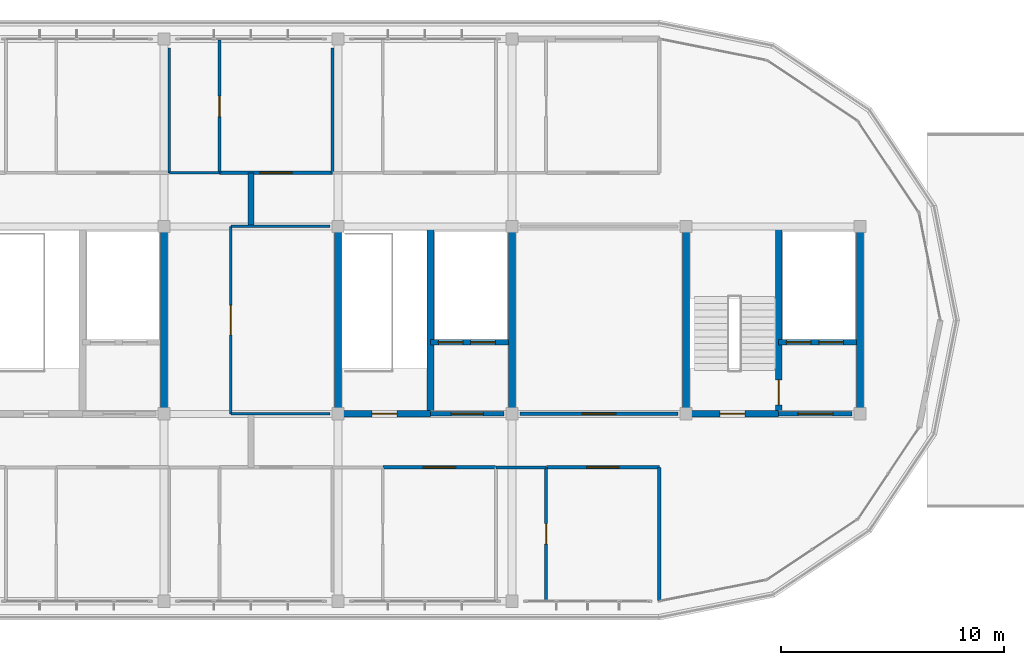
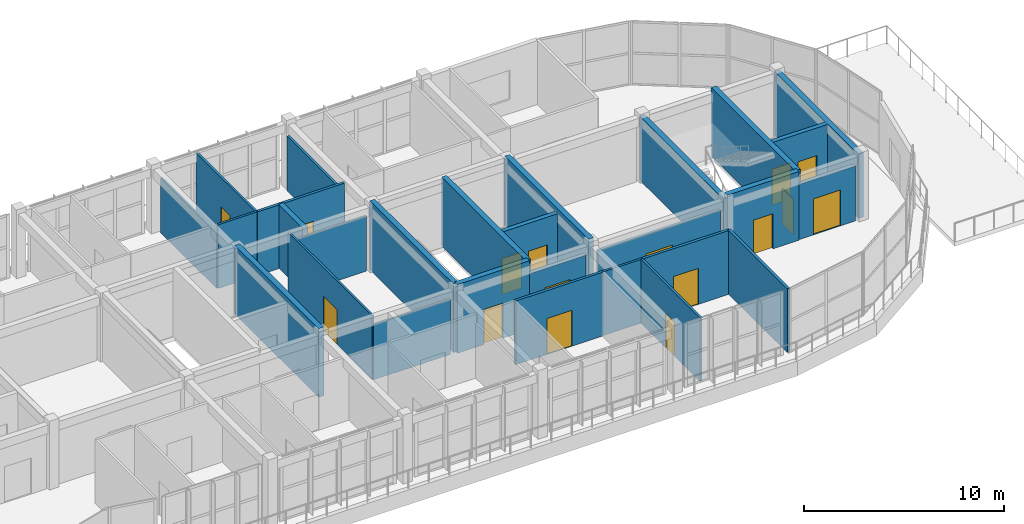
# One storey, part 30 of 33: 28 walls, 16 doors, 16 openings.
"""IFC4 building model written with IfcOpenShell, lengths in metres."""

from ifc_helpers import new_model, si_unit, direction, frame, frame_2d, origin, place, context, subcontext, project, spatial, rectangle, extrude, material, layer, layer_set, type_object, element, fill, save


model = new_model("IFC4")

# Units and contexts
model_context = context("Model", 3, precision=1e-05, world=origin(), true_north=direction((0.0, 1.0)))
body_context = subcontext(model_context, "Body", "Model", "MODEL_VIEW")
ifc_project = project(units=[si_unit("LENGTHUNIT", "METRE"), si_unit("AREAUNIT", "SQUARE_METRE"), si_unit("VOLUMEUNIT", "CUBIC_METRE"), si_unit("PLANEANGLEUNIT", "RADIAN"), si_unit("MASSUNIT", "GRAM", prefix="KILO")], contexts=[model_context])

# Site, building, storey
site_placement = place(None, origin())
site = spatial("IfcSite", under=ifc_project, at=site_placement, CompositionType="ELEMENT")
building_placement = place(site_placement, origin())
building = spatial("IfcBuilding", under=site, at=building_placement, Name="Zizhar Promenade General Hospital", CompositionType="ELEMENT")
storey_placement = place(building_placement, frame((0.0, 0.0, 39.0)))
storey = spatial("IfcBuildingStorey", under=building, at=storey_placement, Name="L09", CompositionType="ELEMENT", Elevation=39.0)

# Wall, opening, door
ifc_material_1 = material(Name="Clinical consultation partition")
ifc_layer_1 = layer(ifc_material_1, 0.14501953125)
ifc_layer_set_1 = layer_set([ifc_layer_1], Name="Clinical consultation partition")
wall_type_1 = type_object("IfcWallType", Name="IW-CLN-145", PredefinedType="PARTITIONING", material=ifc_layer_set_1)
wall_1_placement = place(storey_placement, frame((86.159912109375, 8.39990234375, 0.0), z_axis=(0.0, 0.0, 1.0), x_axis=(1.0, 0.0, 0.0)))
wall_1 = element("IfcWall", 1, at=wall_1_placement, inside=storey, type_object=wall_type_1, Name="Accessible Visitor Lounge and Clean Utility L09 S Partition", PredefinedType="PARTITIONING", context=body_context, shape_type="SweptSolid", body=[
    extrude(rectangle(XDim=7.080078125, YDim=0.14501953125, at=frame_2d((3.5400390625, 0.0))), origin(), (0.0, 0.0, 1.0), 3.3701171875),
])
opening_1_placement = place(wall_1_placement, frame((2.780029296875, 0.0, 0.0)))
opening_1 = element("IfcOpeningElement", 2, at=opening_1_placement, cuts=wall_1, Name="Opening D-28", PredefinedType="OPENING", context=body_context, shape_type="SweptSolid", body=[
    extrude(rectangle(XDim=1.52001953125, YDim=2.199951171875, at=frame_2d((0.760009765625, 1.10009765625))), frame((0.0, 0.08251953125, 0.0), z_axis=(0.0, -1.0, 0.0), x_axis=(1.0, 0.0, 0.0)), (0.0, 0.0, 1.0), 0.1650390625),
])
ifc_material_2 = material(Name="Fire-rated timber glazed lounge pair", Category="wood")
door_type_1 = type_object("IfcDoorType", Name="DR-LOUNGE-152x220", OperationType="DOUBLE_DOOR_SINGLE_SWING", PredefinedType="DOOR", material=ifc_material_2)
door_1_placement = place(opening_1_placement, origin())
door_1 = element("IfcDoor", 3, at=door_1_placement, inside=storey, type_object=door_type_1, Name="Accessible Visitor Lounge and Clean Utility L09 Door", OperationType="DOUBLE_DOOR_SINGLE_SWING", OverallHeight=2.199951171875, OverallWidth=1.52001953125, PredefinedType="DOOR", context=body_context, shape_type="SweptSolid", body=[
    extrude(rectangle(XDim=1.52001953125, YDim=2.199951171875, at=frame_2d((0.760009765625, 1.10009765625))), frame((0.0, 0.02490234375, 0.0), z_axis=(0.0, -1.0, 0.0), x_axis=(1.0, 0.0, 0.0)), (0.0, 0.0, 1.0), 0.050048828125),
])
fill(opening_1, door_1)

# Wall
ifc_material_3 = material(Name="Concrete C35/45", Category="concrete")
ifc_layer_2 = layer(ifc_material_3, 0.284912109375)
ifc_layer_set_2 = layer_set([ifc_layer_2], Name="Concrete C35/45")
wall_type_2 = type_object("IfcWallType", Name="IW-COMP-285", PredefinedType="STANDARD", material=ifc_layer_set_2)
wall_2_placement = place(storey_placement, frame((74.10009765625, 16.800048828125, 0.0), z_axis=(0.0, 0.0, 1.0), x_axis=(0.0, 1.0, 0.0)))
element("IfcWall", 4, at=wall_2_placement, inside=storey, type_object=wall_type_2, Name="Horizontal Fire Compartment Wall North (L09)", PredefinedType="STANDARD", context=body_context, shape_type="SweptSolid", body=[
    extrude(rectangle(XDim=2.39990234375, YDim=0.284912109375, at=frame_2d((1.199951171875, 0.0))), origin(), (0.0, 0.0, 1.0), 3.89990234375),
])

# Wall, opening, door
ifc_material_4 = material(Name="Concrete C35/45", Category="concrete")
ifc_layer_3 = layer(ifc_material_4, 0.215087890625)
ifc_layer_set_3 = layer_set([ifc_layer_3], Name="Concrete C35/45")
wall_type_3 = type_object("IfcWallType", Name="IW-LOBBY-215", PredefinedType="STANDARD", material=ifc_layer_set_3)
wall_3_placement = place(storey_placement, frame((82.14990234375, 8.39990234375, 0.0), z_axis=(0.0, 0.0, 1.0), x_axis=(1.0, 0.0, 0.0)))
wall_3 = element("IfcWall", 5, at=wall_3_placement, inside=storey, type_object=wall_type_3, Name="Core C4 Lift Lobby South Fire Wall (L09)", PredefinedType="STANDARD", context=body_context, shape_type="SweptSolid", body=[
    extrude(rectangle(XDim=3.2900390625, YDim=0.215087890625, at=frame_2d((1.64501953125, 0.0))), origin(), (0.0, 0.0, 1.0), 3.3701171875),
])
opening_2_placement = place(wall_3_placement, frame((0.925048828125, 0.0, 0.0)))
opening_2 = element("IfcOpeningElement", 6, at=opening_2_placement, cuts=wall_3, Name="Opening D-23", PredefinedType="OPENING", context=body_context, shape_type="SweptSolid", body=[
    extrude(rectangle(XDim=1.43994140625, YDim=2.199951171875, at=frame_2d((0.719970703125, 1.10009765625))), frame((0.0, 0.11767578125, 0.0), z_axis=(0.0, -1.0, 0.0), x_axis=(1.0, 0.0, 0.0)), (0.0, 0.0, 1.0), 0.235107421875),
])
ifc_material_5 = material(Name="Fire-rated timber lift lobby pair", Category="wood")
door_type_2 = type_object("IfcDoorType", Name="DR-LOBBY-PR-144x220", OperationType="DOUBLE_DOOR_SINGLE_SWING", PredefinedType="DOOR", material=ifc_material_5)
door_2_placement = place(opening_2_placement, origin())
door_2 = element("IfcDoor", 7, at=door_2_placement, inside=storey, type_object=door_type_2, Name="Core C4 Protected Lift Lobby Door (L09)", OperationType="DOUBLE_DOOR_SINGLE_SWING", OverallHeight=2.199951171875, OverallWidth=1.43994140625, PredefinedType="DOOR", context=body_context, shape_type="SweptSolid", body=[
    extrude(rectangle(XDim=1.43994140625, YDim=2.199951171875, at=frame_2d((0.719970703125, 1.10009765625))), frame((0.0, 0.02490234375, 0.0), z_axis=(0.0, -1.0, 0.0), x_axis=(1.0, 0.0, 0.0)), (0.0, 0.0, 1.0), 0.050048828125),
])
fill(opening_2, door_2)

wall_4_placement = place(storey_placement, frame((97.75, 8.39990234375, 0.0), z_axis=(0.0, 0.0, 1.0), x_axis=(1.0, 0.0, 0.0)))
wall_4 = element("IfcWall", 8, at=wall_4_placement, inside=storey, type_object=wall_type_3, Name="Core C5 Lift Lobby South Fire Wall (L09)", PredefinedType="STANDARD", context=body_context, shape_type="SweptSolid", body=[
    extrude(rectangle(XDim=3.2900390625, YDim=0.215087890625, at=frame_2d((1.64501953125, 0.0))), origin(), (0.0, 0.0, 1.0), 3.3701171875),
])
opening_3_placement = place(wall_4_placement, frame((0.864990234375, 0.0, 0.0)))
opening_3 = element("IfcOpeningElement", 9, at=opening_3_placement, cuts=wall_4, Name="Opening D-22", PredefinedType="OPENING", context=body_context, shape_type="SweptSolid", body=[
    extrude(rectangle(XDim=1.56005859375, YDim=2.199951171875, at=frame_2d((0.780029296875, 1.10009765625))), frame((0.0, 0.11767578125, 0.0), z_axis=(0.0, -1.0, 0.0), x_axis=(1.0, 0.0, 0.0)), (0.0, 0.0, 1.0), 0.235107421875),
])
ifc_material_6 = material(Name="Steel S355 firefighting lobby pair", Category="steel")
door_type_3 = type_object("IfcDoorType", Name="DR-LOBBY-FF-156x220", OperationType="DOUBLE_DOOR_SINGLE_SWING", PredefinedType="DOOR", material=ifc_material_6)
door_3_placement = place(opening_3_placement, origin())
door_3 = element("IfcDoor", 10, at=door_3_placement, inside=storey, type_object=door_type_3, Name="Core C5 Firefighting Lift Lobby Door (L09)", OperationType="DOUBLE_DOOR_SINGLE_SWING", OverallHeight=2.199951171875, OverallWidth=1.56005859375, PredefinedType="DOOR", context=body_context, shape_type="SweptSolid", body=[
    extrude(rectangle(XDim=1.56005859375, YDim=2.199951171875, at=frame_2d((0.780029296875, 1.10009765625))), frame((0.0, 0.02490234375, 0.0), z_axis=(0.0, -1.0, 0.0), x_axis=(1.0, 0.0, 0.0)), (0.0, 0.0, 1.0), 0.050048828125),
])
fill(opening_3, door_3)

# Wall, openings, doors
ifc_material_7 = material(Name="Concrete C35/45", Category="concrete")
ifc_layer_4 = layer(ifc_material_7, 0.25)
ifc_layer_set_4 = layer_set([ifc_layer_4], Name="Concrete C35/45")
wall_type_4 = type_object("IfcWallType", Name="IW-SHAFT-250", PredefinedType="STANDARD", material=ifc_layer_set_4)
wall_5_placement = place(storey_placement, frame((82.14990234375, 11.60009765625, 0.0), z_axis=(0.0, 0.0, 1.0), x_axis=(1.0, 0.0, 0.0)))
wall_5 = element("IfcWall", 11, at=wall_5_placement, inside=storey, type_object=wall_type_4, Name="Core C4 Lift Shaft Landing Wall (L09)", PredefinedType="STANDARD", context=body_context, shape_type="SweptSolid", body=[
    extrude(rectangle(XDim=3.5, YDim=0.25, at=frame_2d((1.75, 0.0))), origin(), (0.0, 0.0, 1.0), 3.89990234375),
])
opening_4_placement = place(wall_5_placement, frame((0.35009765625, 0.0, 0.0)))
opening_4 = element("IfcOpeningElement", 12, at=opening_4_placement, cuts=wall_5, Name="Opening LD-11", PredefinedType="OPENING", context=body_context, shape_type="SweptSolid", body=[
    extrude(rectangle(XDim=1.10009765625, YDim=2.199951171875, at=frame_2d((0.550048828125, 1.10009765625))), frame((0.0, 0.135009765625, 0.0), z_axis=(0.0, -1.0, 0.0), x_axis=(1.0, 0.0, 0.0)), (0.0, 0.0, 1.0), 0.27001953125),
])
opening_5_placement = place(wall_5_placement, frame((1.800048828125, 0.0, 0.0)))
opening_5 = element("IfcOpeningElement", 13, at=opening_5_placement, cuts=wall_5, Name="Opening LD-11", PredefinedType="OPENING", context=body_context, shape_type="SweptSolid", body=[
    extrude(rectangle(XDim=1.10009765625, YDim=2.199951171875, at=frame_2d((0.550048828125, 1.10009765625))), frame((0.0, 0.135009765625, 0.0), z_axis=(0.0, -1.0, 0.0), x_axis=(1.0, 0.0, 0.0)), (0.0, 0.0, 1.0), 0.27001953125),
])
ifc_material_8 = material(Name="Stainless Steel S355 passenger lift landing door", Category="steel")
door_type_4 = type_object("IfcDoorType", Name="DR-LIFT-LD11", OperationType="SLIDING_TO_LEFT", PredefinedType="DOOR", material=ifc_material_8)
door_4_placement = place(opening_4_placement, origin())
door_4 = element("IfcDoor", 14, at=door_4_placement, inside=storey, type_object=door_type_4, Name="Lift LB-03 Sliding Landing Door (L09)", OperationType="SLIDING_TO_LEFT", OverallHeight=2.199951171875, OverallWidth=1.10009765625, PredefinedType="DOOR", context=body_context, shape_type="SweptSolid", body=[
    extrude(rectangle(XDim=1.10009765625, YDim=2.199951171875, at=frame_2d((0.550048828125, 1.10009765625))), frame((0.0, 0.02490234375, 0.0), z_axis=(0.0, -1.0, 0.0), x_axis=(1.0, 0.0, 0.0)), (0.0, 0.0, 1.0), 0.050048828125),
])
fill(opening_4, door_4)
door_5_placement = place(opening_5_placement, origin())
door_5 = element("IfcDoor", 15, at=door_5_placement, inside=storey, type_object=door_type_4, Name="Lift LP-03 Sliding Landing Door (L09)", OperationType="SLIDING_TO_LEFT", OverallHeight=2.199951171875, OverallWidth=1.10009765625, PredefinedType="DOOR", context=body_context, shape_type="SweptSolid", body=[
    extrude(rectangle(XDim=1.10009765625, YDim=2.199951171875, at=frame_2d((0.550048828125, 1.10009765625))), frame((0.0, 0.02490234375, 0.0), z_axis=(0.0, -1.0, 0.0), x_axis=(1.0, 0.0, 0.0)), (0.0, 0.0, 1.0), 0.050048828125),
])
fill(opening_5, door_5)

wall_6_placement = place(storey_placement, frame((97.75, 11.60009765625, 0.0), z_axis=(0.0, 0.0, 1.0), x_axis=(1.0, 0.0, 0.0)))
wall_6 = element("IfcWall", 16, at=wall_6_placement, inside=storey, type_object=wall_type_4, Name="Core C5 Lift Shaft Landing Wall (L09)", PredefinedType="STANDARD", context=body_context, shape_type="SweptSolid", body=[
    extrude(rectangle(XDim=3.5, YDim=0.25, at=frame_2d((1.75, 0.0))), origin(), (0.0, 0.0, 1.0), 3.89990234375),
])
opening_6_placement = place(wall_6_placement, frame((0.35009765625, 0.0, 0.0)))
opening_6 = element("IfcOpeningElement", 17, at=opening_6_placement, cuts=wall_6, Name="Opening LD-11", PredefinedType="OPENING", context=body_context, shape_type="SweptSolid", body=[
    extrude(rectangle(XDim=1.10009765625, YDim=2.199951171875, at=frame_2d((0.550048828125, 1.10009765625))), frame((0.0, 0.135009765625, 0.0), z_axis=(0.0, -1.0, 0.0), x_axis=(1.0, 0.0, 0.0)), (0.0, 0.0, 1.0), 0.27001953125),
])
opening_7_placement = place(wall_6_placement, frame((1.800048828125, 0.0, 0.0)))
opening_7 = element("IfcOpeningElement", 18, at=opening_7_placement, cuts=wall_6, Name="Opening LD-11", PredefinedType="OPENING", context=body_context, shape_type="SweptSolid", body=[
    extrude(rectangle(XDim=1.10009765625, YDim=2.199951171875, at=frame_2d((0.550048828125, 1.10009765625))), frame((0.0, 0.135009765625, 0.0), z_axis=(0.0, -1.0, 0.0), x_axis=(1.0, 0.0, 0.0)), (0.0, 0.0, 1.0), 0.27001953125),
])
door_6_placement = place(opening_6_placement, origin())
door_6 = element("IfcDoor", 19, at=door_6_placement, inside=storey, type_object=door_type_4, Name="Lift LF-02 Sliding Landing Door (L09)", OperationType="SLIDING_TO_LEFT", OverallHeight=2.199951171875, OverallWidth=1.10009765625, PredefinedType="DOOR", context=body_context, shape_type="SweptSolid", body=[
    extrude(rectangle(XDim=1.10009765625, YDim=2.199951171875, at=frame_2d((0.550048828125, 1.10009765625))), frame((0.0, 0.02490234375, 0.0), z_axis=(0.0, -1.0, 0.0), x_axis=(1.0, 0.0, 0.0)), (0.0, 0.0, 1.0), 0.050048828125),
])
fill(opening_6, door_6)
door_7_placement = place(opening_7_placement, origin())
door_7 = element("IfcDoor", 20, at=door_7_placement, inside=storey, type_object=door_type_4, Name="Lift LB-04 Sliding Landing Door (L09)", OperationType="SLIDING_TO_LEFT", OverallHeight=2.199951171875, OverallWidth=1.10009765625, PredefinedType="DOOR", context=body_context, shape_type="SweptSolid", body=[
    extrude(rectangle(XDim=1.10009765625, YDim=2.199951171875, at=frame_2d((0.550048828125, 1.10009765625))), frame((0.0, 0.02490234375, 0.0), z_axis=(0.0, -1.0, 0.0), x_axis=(1.0, 0.0, 0.0)), (0.0, 0.0, 1.0), 0.050048828125),
])
fill(opening_7, door_7)

# Walls
ifc_material_9 = material(Name="Clean utility gypsum partition")
ifc_layer_5 = layer(ifc_material_9, 0.114990234375)
ifc_layer_set_5 = layer_set([ifc_layer_5], Name="Clean utility gypsum partition")
wall_type_5 = type_object("IfcWallType", Name="IW-STR-115", PredefinedType="PARTITIONING", material=ifc_layer_set_5)
for number, where, z_axis, x_axis, name in (
    (21, (73.199951171875, 8.39990234375, 0.0), (0.0, 0.0, 1.0), (1.0, 0.0, 0.0), "Oncology Day Preparation Room S Partition"),
    (22, (73.199951171875, 16.800048828125, 0.0), (0.0, 0.0, 1.0), (1.0, 0.0, 0.0), "Oncology Day Preparation Room N Partition"),
):
    element("IfcWall", number, at=place(storey_placement, frame(where, z_axis=z_axis, x_axis=x_axis)), inside=storey, type_object=wall_type_5, Name=name, PredefinedType="PARTITIONING", context=body_context, shape_type="SweptSolid", body=[
        extrude(rectangle(XDim=4.43994140625, YDim=0.114990234375, at=frame_2d((2.219970703125, 0.0))), origin(), (0.0, 0.0, 1.0), 3.3701171875),
    ])

# Wall, opening, door
wall_7_placement = place(storey_placement, frame((73.199951171875, 8.39990234375, 0.0), z_axis=(0.0, 0.0, 1.0), x_axis=(0.0, 1.0, 0.0)))
wall_7 = element("IfcWall", 23, at=wall_7_placement, inside=storey, type_object=wall_type_5, Name="Oncology Day Preparation Room W Partition", PredefinedType="PARTITIONING", context=body_context, shape_type="SweptSolid", body=[
    extrude(rectangle(XDim=8.400146484375, YDim=0.114990234375, at=frame_2d((4.2001953125, 0.0))), origin(), (0.0, 0.0, 1.0), 3.89990234375),
])
opening_8_placement = place(wall_7_placement, frame((3.5400390625, 0.0, 0.0)))
opening_8 = element("IfcOpeningElement", 24, at=opening_8_placement, cuts=wall_7, Name="Opening D-26", PredefinedType="OPENING", context=body_context, shape_type="SweptSolid", body=[
    extrude(rectangle(XDim=1.320068359375, YDim=2.14990234375, at=frame_2d((0.66015625, 1.074951171875))), frame((0.0, 0.0673828125, 0.0), z_axis=(0.0, -1.0, 0.0), x_axis=(1.0, 0.0, 0.0)), (0.0, 0.0, 1.0), 0.135009765625),
])
ifc_material_10 = material(Name="Fire-rated timber store leaf", Category="wood")
door_type_5 = type_object("IfcDoorType", Name="DR-STORE-132x215", OperationType="NOTDEFINED", PredefinedType="DOOR", material=ifc_material_10)
door_8_placement = place(opening_8_placement, origin())
door_8 = element("IfcDoor", 25, at=door_8_placement, inside=storey, type_object=door_type_5, Name="Oncology Day Preparation Room Door", OperationType="SINGLE_SWING_LEFT", OverallHeight=2.14990234375, OverallWidth=1.320068359375, PredefinedType="DOOR", context=body_context, shape_type="SweptSolid", body=[
    extrude(rectangle(XDim=1.320068359375, YDim=2.14990234375, at=frame_2d((0.66015625, 1.074951171875))), frame((0.0, 0.02490234375, 0.0), z_axis=(0.0, -1.0, 0.0), x_axis=(1.0, 0.0, 0.0)), (0.0, 0.0, 1.0), 0.050048828125),
])
fill(opening_8, door_8)

ifc_material_11 = material(Name="Acoustic patient bedroom partition")
ifc_layer_6 = layer(ifc_material_11, 0.155029296875)
ifc_layer_set_6 = layer_set([ifc_layer_6], Name="Acoustic patient bedroom partition")
wall_type_6 = type_object("IfcWallType", Name="IW-WARD-155", PredefinedType="PARTITIONING", material=ifc_layer_set_6)
wall_8_placement = place(storey_placement, frame((72.699951171875, 19.199951171875, 0.0), z_axis=(0.0, 0.0, 1.0), x_axis=(1.0, 0.0, 0.0)))
wall_8 = element("IfcWall", 26, at=wall_8_placement, inside=storey, type_object=wall_type_6, Name="Oncology Isolation Ward L09-N03 S Partition", PredefinedType="PARTITIONING", context=body_context, shape_type="SweptSolid", body=[
    extrude(rectangle(XDim=5.050048828125, YDim=0.155029296875, at=frame_2d((2.52490234375, 0.0))), origin(), (0.0, 0.0, 1.0), 3.89990234375),
])
opening_9_placement = place(wall_8_placement, frame((1.800048828125, 0.0, 0.0)))
opening_9 = element("IfcOpeningElement", 27, at=opening_9_placement, cuts=wall_8, Name="Opening D-07", PredefinedType="OPENING", context=body_context, shape_type="SweptSolid", body=[
    extrude(rectangle(XDim=1.449951171875, YDim=2.199951171875, at=frame_2d((0.72509765625, 1.10009765625))), frame((0.0, 0.08740234375, 0.0), z_axis=(0.0, -1.0, 0.0), x_axis=(1.0, 0.0, 0.0)), (0.0, 0.0, 1.0), 0.175048828125),
])
ifc_material_12 = material(Name="Fire-rated timber airlock bed leaf", Category="wood")
door_type_6 = type_object("IfcDoorType", Name="DR-BED-ISO-145x220", OperationType="NOTDEFINED", PredefinedType="DOOR", material=ifc_material_12)
door_9_placement = place(opening_9_placement, origin())
door_9 = element("IfcDoor", 28, at=door_9_placement, inside=storey, type_object=door_type_6, Name="Oncology Isolation Ward L09-N03 Door", OperationType="SINGLE_SWING_LEFT", OverallHeight=2.199951171875, OverallWidth=1.449951171875, PredefinedType="DOOR", context=body_context, shape_type="SweptSolid", body=[
    extrude(rectangle(XDim=1.449951171875, YDim=2.199951171875, at=frame_2d((0.72509765625, 1.10009765625))), frame((0.0, 0.02490234375, 0.0), z_axis=(0.0, -1.0, 0.0), x_axis=(1.0, 0.0, 0.0)), (0.0, 0.0, 1.0), 0.050048828125),
])
fill(opening_9, door_9)

wall_9_placement = place(storey_placement, frame((80.02001953125, 6.0, 0.0), z_axis=(0.0, 0.0, 1.0), x_axis=(1.0, 0.0, 0.0)))
wall_9 = element("IfcWall", 29, at=wall_9_placement, inside=storey, type_object=wall_type_6, Name="Haematology Protective Isolation Ward L09-S04 N Partition", PredefinedType="PARTITIONING", context=body_context, shape_type="SweptSolid", body=[
    extrude(rectangle(XDim=5.050048828125, YDim=0.155029296875, at=frame_2d((2.52490234375, 0.0))), origin(), (0.0, 0.0, 1.0), 3.89990234375),
])
opening_10_placement = place(wall_9_placement, frame((1.800048828125, 0.0, 0.0)))
opening_10 = element("IfcOpeningElement", 30, at=opening_10_placement, cuts=wall_9, Name="Opening D-07", PredefinedType="OPENING", context=body_context, shape_type="SweptSolid", body=[
    extrude(rectangle(XDim=1.449951171875, YDim=2.199951171875, at=frame_2d((0.72509765625, 1.10009765625))), frame((0.0, 0.08740234375, 0.0), z_axis=(0.0, -1.0, 0.0), x_axis=(1.0, 0.0, 0.0)), (0.0, 0.0, 1.0), 0.175048828125),
])
door_10_placement = place(opening_10_placement, origin())
door_10 = element("IfcDoor", 31, at=door_10_placement, inside=storey, type_object=door_type_6, Name="Haematology Protective Isolation Ward L09-S04 Door", OperationType="SINGLE_SWING_RIGHT", OverallHeight=2.199951171875, OverallWidth=1.449951171875, PredefinedType="DOOR", context=body_context, shape_type="SweptSolid", body=[
    extrude(rectangle(XDim=1.449951171875, YDim=2.199951171875, at=frame_2d((0.72509765625, 1.10009765625))), frame((0.0, 0.02490234375, 0.0), z_axis=(0.0, -1.0, 0.0), x_axis=(1.0, 0.0, 0.0)), (0.0, 0.0, 1.0), 0.050048828125),
])
fill(opening_10, door_10)

wall_10_placement = place(storey_placement, frame((87.340087890625, 6.0, 0.0), z_axis=(0.0, 0.0, 1.0), x_axis=(1.0, 0.0, 0.0)))
wall_10 = element("IfcWall", 32, at=wall_10_placement, inside=storey, type_object=wall_type_6, Name="Oncology Isolation Ward L09-S05 N Partition", PredefinedType="PARTITIONING", context=body_context, shape_type="SweptSolid", body=[
    extrude(rectangle(XDim=5.059814453125, YDim=0.155029296875, at=frame_2d((2.52978515625, 0.0))), origin(), (0.0, 0.0, 1.0), 3.89990234375),
])
opening_11_placement = place(wall_10_placement, frame((1.804931640625, 0.0, 0.0)))
opening_11 = element("IfcOpeningElement", 33, at=opening_11_placement, cuts=wall_10, Name="Opening D-07", PredefinedType="OPENING", context=body_context, shape_type="SweptSolid", body=[
    extrude(rectangle(XDim=1.449951171875, YDim=2.199951171875, at=frame_2d((0.72509765625, 1.10009765625))), frame((0.0, 0.08740234375, 0.0), z_axis=(0.0, -1.0, 0.0), x_axis=(1.0, 0.0, 0.0)), (0.0, 0.0, 1.0), 0.175048828125),
])
door_11_placement = place(opening_11_placement, origin())
door_11 = element("IfcDoor", 34, at=door_11_placement, inside=storey, type_object=door_type_6, Name="Oncology Isolation Ward L09-S05 Door", OperationType="SINGLE_SWING_RIGHT", OverallHeight=2.199951171875, OverallWidth=1.449951171875, PredefinedType="DOOR", context=body_context, shape_type="SweptSolid", body=[
    extrude(rectangle(XDim=1.449951171875, YDim=2.199951171875, at=frame_2d((0.72509765625, 1.10009765625))), frame((0.0, 0.02490234375, 0.0), z_axis=(0.0, -1.0, 0.0), x_axis=(1.0, 0.0, 0.0)), (0.0, 0.0, 1.0), 0.050048828125),
])
fill(opening_11, door_11)

# Walls
wall_11_placement = place(storey_placement, frame((92.39990234375, 0.044921875, 0.0), z_axis=(0.0, 0.0, 1.0), x_axis=(0.0, 1.0, 0.0)))
element("IfcWall", 35, at=wall_11_placement, inside=storey, type_object=wall_type_6, Name="Oncology Isolation Ward L09-S05 E Partition", PredefinedType="PARTITIONING", context=body_context, shape_type="SweptSolid", body=[
    extrude(rectangle(XDim=5.955078125, YDim=0.155029296875, at=frame_2d((2.9775390625, 0.0))), origin(), (0.0, 0.0, 1.0), 3.89990234375),
])
ifc_material_13 = material(Name="Moisture-resistant en-suite wet partition")
ifc_layer_7 = layer(ifc_material_13, 0.125)
ifc_layer_set_7 = layer_set([ifc_layer_7], Name="Moisture-resistant en-suite wet partition")
wall_type_7 = type_object("IfcWallType", Name="IW-WET-125", PredefinedType="PARTITIONING", material=ifc_layer_set_7)
wall_12_placement = place(storey_placement, frame((70.43994140625, 19.199951171875, 0.0), z_axis=(0.0, 0.0, 1.0), x_axis=(1.0, 0.0, 0.0)))
element("IfcWall", 36, at=wall_12_placement, inside=storey, type_object=wall_type_7, Name="En-Suite Patient Bathroom L09-N03 S Partition", PredefinedType="PARTITIONING", context=body_context, shape_type="SweptSolid", body=[
    extrude(rectangle(XDim=2.25, YDim=0.125, at=frame_2d((1.125, 0.0))), origin(), (0.0, 0.0, 1.0), 3.89990234375),
])
wall_13_placement = place(storey_placement, frame((70.43994140625, 19.199951171875, 0.0), z_axis=(0.0, 0.0, 1.0), x_axis=(0.0, 1.0, 0.0)))
element("IfcWall", 37, at=wall_13_placement, inside=storey, type_object=wall_type_7, Name="En-Suite Patient Bathroom L09-N03 W Partition", PredefinedType="PARTITIONING", context=body_context, shape_type="SweptSolid", body=[
    extrude(rectangle(XDim=5.594970703125, YDim=0.125, at=frame_2d((2.79736328125, 0.0))), origin(), (0.0, 0.0, 1.0), 3.35498046875),
])

# Wall, opening, door
wall_14_placement = place(storey_placement, frame((72.68994140625, 19.199951171875, 0.0), z_axis=(0.0, 0.0, 1.0), x_axis=(0.0, 1.0, 0.0)))
wall_14 = element("IfcWall", 38, at=wall_14_placement, inside=storey, type_object=wall_type_7, Name="En-Suite Patient Bathroom L09-N03 E Partition", PredefinedType="PARTITIONING", context=body_context, shape_type="SweptSolid", body=[
    extrude(rectangle(XDim=5.955078125, YDim=0.125, at=frame_2d((2.9775390625, 0.0))), origin(), (0.0, 0.0, 1.0), 3.89990234375),
])
opening_12_placement = place(wall_14_placement, frame((2.517578125, 0.0, 0.0)))
opening_12 = element("IfcOpeningElement", 39, at=opening_12_placement, cuts=wall_14, Name="Opening D-18", PredefinedType="OPENING", context=body_context, shape_type="SweptSolid", body=[
    extrude(rectangle(XDim=0.919921875, YDim=2.10009765625, at=frame_2d((0.4599609375, 1.050048828125))), frame((0.0, 0.072509765625, 0.0), z_axis=(0.0, -1.0, 0.0), x_axis=(1.0, 0.0, 0.0)), (0.0, 0.0, 1.0), 0.14501953125),
])
ifc_material_14 = material(Name="Moisture-resistant timber en-suite leaf", Category="wood")
door_type_7 = type_object("IfcDoorType", Name="DR-ENS-STD-092x210", OperationType="NOTDEFINED", PredefinedType="DOOR", material=ifc_material_14)
door_12_placement = place(opening_12_placement, origin())
door_12 = element("IfcDoor", 40, at=door_12_placement, inside=storey, type_object=door_type_7, Name="En-Suite Patient Bathroom L09-N03 Door", OperationType="SINGLE_SWING_LEFT", OverallHeight=2.10009765625, OverallWidth=0.919921875, PredefinedType="DOOR", context=body_context, shape_type="SweptSolid", body=[
    extrude(rectangle(XDim=0.919921875, YDim=2.10009765625, at=frame_2d((0.4599609375, 1.050048828125))), frame((0.0, 0.02490234375, 0.0), z_axis=(0.0, -1.0, 0.0), x_axis=(1.0, 0.0, 0.0)), (0.0, 0.0, 1.0), 0.050048828125),
])
fill(opening_12, door_12)

# Walls
wall_15_placement = place(storey_placement, frame((77.760009765625, 19.199951171875, 0.0), z_axis=(0.0, 0.0, 1.0), x_axis=(0.0, 1.0, 0.0)))
element("IfcWall", 41, at=wall_15_placement, inside=storey, type_object=wall_type_7, Name="En-Suite Patient Bathroom L09-N04 W Partition", PredefinedType="PARTITIONING", context=body_context, shape_type="SweptSolid", body=[
    extrude(rectangle(XDim=5.594970703125, YDim=0.125, at=frame_2d((2.79736328125, 0.0))), origin(), (0.0, 0.0, 1.0), 3.35498046875),
])
wall_16_placement = place(storey_placement, frame((85.080078125, 6.0, 0.0), z_axis=(0.0, 0.0, 1.0), x_axis=(1.0, 0.0, 0.0)))
element("IfcWall", 42, at=wall_16_placement, inside=storey, type_object=wall_type_7, Name="En-Suite Patient Bathroom L09-S05 N Partition", PredefinedType="PARTITIONING", context=body_context, shape_type="SweptSolid", body=[
    extrude(rectangle(XDim=2.25, YDim=0.125, at=frame_2d((1.125, 0.0))), origin(), (0.0, 0.0, 1.0), 3.89990234375),
])

# Wall, opening, door
wall_17_placement = place(storey_placement, frame((87.330078125, 0.044921875, 0.0), z_axis=(0.0, 0.0, 1.0), x_axis=(0.0, 1.0, 0.0)))
wall_17 = element("IfcWall", 43, at=wall_17_placement, inside=storey, type_object=wall_type_7, Name="En-Suite Patient Bathroom L09-S05 E Partition", PredefinedType="PARTITIONING", context=body_context, shape_type="SweptSolid", body=[
    extrude(rectangle(XDim=5.955078125, YDim=0.125, at=frame_2d((2.9775390625, 0.0))), origin(), (0.0, 0.0, 1.0), 3.89990234375),
])
opening_13_placement = place(wall_17_placement, frame((2.517578125, 0.0, 0.0)))
opening_13 = element("IfcOpeningElement", 44, at=opening_13_placement, cuts=wall_17, Name="Opening D-18", PredefinedType="OPENING", context=body_context, shape_type="SweptSolid", body=[
    extrude(rectangle(XDim=0.919921875, YDim=2.10009765625, at=frame_2d((0.4599609375, 1.050048828125))), frame((0.0, 0.072509765625, 0.0), z_axis=(0.0, -1.0, 0.0), x_axis=(1.0, 0.0, 0.0)), (0.0, 0.0, 1.0), 0.14501953125),
])
door_13_placement = place(opening_13_placement, origin())
door_13 = element("IfcDoor", 45, at=door_13_placement, inside=storey, type_object=door_type_7, Name="En-Suite Patient Bathroom L09-S05 Door", OperationType="SINGLE_SWING_RIGHT", OverallHeight=2.10009765625, OverallWidth=0.919921875, PredefinedType="DOOR", context=body_context, shape_type="SweptSolid", body=[
    extrude(rectangle(XDim=0.919921875, YDim=2.10009765625, at=frame_2d((0.4599609375, 1.050048828125))), frame((0.0, 0.02490234375, 0.0), z_axis=(0.0, -1.0, 0.0), x_axis=(1.0, 0.0, 0.0)), (0.0, 0.0, 1.0), 0.050048828125),
])
fill(opening_13, door_13)

# Walls
ifc_material_15 = material(Name="Concrete C40/50", Category="concrete")
ifc_layer_8 = layer(ifc_material_15, 0.300048828125)
ifc_layer_set_8 = layer_set([ifc_layer_8], Name="Concrete C40/50")
wall_type_8 = type_object("IfcWallType", Name="WL-CORE-300", PredefinedType="SHEAR", material=ifc_layer_set_8)
for number, where, z_axis, x_axis, name in (
    (46, (70.199951171875, 8.39990234375, 0.0), (0.0, 0.0, 1.0), (0.0, 1.0, 0.0), "Core C3 East Shear Wall L09"),
    (47, (78.0, 8.39990234375, 0.0), (0.0, 0.0, 1.0), (0.0, 1.0, 0.0), "Core C4 West Shear Wall L09"),
    (48, (85.800048828125, 8.39990234375, 0.0), (0.0, 0.0, 1.0), (0.0, 1.0, 0.0), "Core C4 East Shear Wall L09"),
):
    element("IfcWall", number, at=place(storey_placement, frame(where, z_axis=z_axis, x_axis=x_axis)), inside=storey, type_object=wall_type_8, Name=name, PredefinedType="SHEAR", context=body_context, shape_type="SweptSolid", body=[
        extrude(rectangle(XDim=8.400146484375, YDim=0.300048828125, at=frame_2d((4.2001953125, 0.0))), origin(), (0.0, 0.0, 1.0), 4.199951171875),
    ])
for number, where, z_axis, x_axis, name in (
    (49, (93.60009765625, 8.39990234375, 0.0), (0.0, 0.0, 1.0), (0.0, 1.0, 0.0), "Core C5 West Shear Wall L09"),
    (50, (101.39990234375, 8.39990234375, 0.0), (0.0, 0.0, 1.0), (0.0, 1.0, 0.0), "Core C5 East Shear Wall L09"),
):
    element("IfcWall", number, at=place(storey_placement, frame(where, z_axis=z_axis, x_axis=x_axis)), inside=storey, type_object=wall_type_8, Name=name, PredefinedType="SHEAR", context=body_context, shape_type="SweptSolid", body=[
        extrude(rectangle(XDim=8.400146484375, YDim=0.300048828125, at=frame_2d((4.2001953125, 0.0))), origin(), (0.0, 0.0, 1.0), 3.919921875),
    ])

# Wall, opening, door
wall_18_placement = place(storey_placement, frame((78.0, 8.39990234375, 0.0), z_axis=(0.0, 0.0, 1.0), x_axis=(1.0, 0.0, 0.0)))
wall_18 = element("IfcWall", 51, at=wall_18_placement, inside=storey, type_object=wall_type_8, Name="Core C4 Stair South Fire Wall (L09)", PredefinedType="SHEAR", context=body_context, shape_type="SweptSolid", body=[
    extrude(rectangle(XDim=4.14990234375, YDim=0.300048828125, at=frame_2d((2.074951171875, 0.0))), origin(), (0.0, 0.0, 1.0), 4.199951171875),
])
opening_14_placement = place(wall_18_placement, frame((1.514892578125, 0.0, 0.0)))
opening_14 = element("IfcOpeningElement", 52, at=opening_14_placement, cuts=wall_18, Name="Opening D-21", PredefinedType="OPENING", context=body_context, shape_type="SweptSolid", body=[
    extrude(rectangle(XDim=1.1201171875, YDim=2.14990234375, at=frame_2d((0.56005859375, 1.074951171875))), frame((0.0, 0.16015625, 0.0), z_axis=(0.0, -1.0, 0.0), x_axis=(1.0, 0.0, 0.0)), (0.0, 0.0, 1.0), 0.320068359375),
])
ifc_material_16 = material(Name="Steel S355 protected stair door", Category="steel")
door_type_8 = type_object("IfcDoorType", Name="DR-STAIR-112x215", OperationType="NOTDEFINED", PredefinedType="DOOR", material=ifc_material_16)
door_14_placement = place(opening_14_placement, origin())
door_14 = element("IfcDoor", 53, at=door_14_placement, inside=storey, type_object=door_type_8, Name="Exit Stair ST-04 Door (L09)", OperationType="SINGLE_SWING_RIGHT", OverallHeight=2.14990234375, OverallWidth=1.1201171875, PredefinedType="DOOR", context=body_context, shape_type="SweptSolid", body=[
    extrude(rectangle(XDim=1.1201171875, YDim=2.14990234375, at=frame_2d((0.56005859375, 1.074951171875))), frame((0.0, 0.02490234375, 0.0), z_axis=(0.0, -1.0, 0.0), x_axis=(1.0, 0.0, 0.0)), (0.0, 0.0, 1.0), 0.050048828125),
])
fill(opening_14, door_14)

# Wall
wall_19_placement = place(storey_placement, frame((82.14990234375, 8.39990234375, 0.0), z_axis=(0.0, 0.0, 1.0), x_axis=(0.0, 1.0, 0.0)))
element("IfcWall", 54, at=wall_19_placement, inside=storey, type_object=wall_type_8, Name="Core C4 Stair-Shaft Separation Wall (L09)", PredefinedType="SHEAR", context=body_context, shape_type="SweptSolid", body=[
    extrude(rectangle(XDim=8.400146484375, YDim=0.300048828125, at=frame_2d((4.2001953125, 0.0))), origin(), (0.0, 0.0, 1.0), 4.199951171875),
])

# Wall, opening, door
wall_20_placement = place(storey_placement, frame((93.60009765625, 8.39990234375, 0.0), z_axis=(0.0, 0.0, 1.0), x_axis=(1.0, 0.0, 0.0)))
wall_20 = element("IfcWall", 55, at=wall_20_placement, inside=storey, type_object=wall_type_8, Name="Core C5 Stair South Fire Wall (L09)", PredefinedType="SHEAR", context=body_context, shape_type="SweptSolid", body=[
    extrude(rectangle(XDim=4.14990234375, YDim=0.300048828125, at=frame_2d((2.074951171875, 0.0))), origin(), (0.0, 0.0, 1.0), 4.199951171875),
])
opening_15_placement = place(wall_20_placement, frame((1.514892578125, 0.0, 0.0)))
opening_15 = element("IfcOpeningElement", 56, at=opening_15_placement, cuts=wall_20, Name="Opening D-21", PredefinedType="OPENING", context=body_context, shape_type="SweptSolid", body=[
    extrude(rectangle(XDim=1.1201171875, YDim=2.14990234375, at=frame_2d((0.56005859375, 1.074951171875))), frame((0.0, 0.16015625, 0.0), z_axis=(0.0, -1.0, 0.0), x_axis=(1.0, 0.0, 0.0)), (0.0, 0.0, 1.0), 0.320068359375),
])
door_15_placement = place(opening_15_placement, origin())
door_15 = element("IfcDoor", 57, at=door_15_placement, inside=storey, type_object=door_type_8, Name="Exit Stair ST-05 Door (L09)", OperationType="SINGLE_SWING_RIGHT", OverallHeight=2.14990234375, OverallWidth=1.1201171875, PredefinedType="DOOR", context=body_context, shape_type="SweptSolid", body=[
    extrude(rectangle(XDim=1.1201171875, YDim=2.14990234375, at=frame_2d((0.56005859375, 1.074951171875))), frame((0.0, 0.02490234375, 0.0), z_axis=(0.0, -1.0, 0.0), x_axis=(1.0, 0.0, 0.0)), (0.0, 0.0, 1.0), 0.050048828125),
])
fill(opening_15, door_15)

wall_21_placement = place(storey_placement, frame((97.75, 8.39990234375, 0.0), z_axis=(0.0, 0.0, 1.0), x_axis=(0.0, 1.0, 0.0)))
wall_21 = element("IfcWall", 58, at=wall_21_placement, inside=storey, type_object=wall_type_8, Name="Core C5 Stair-Shaft Separation Wall (L09)", PredefinedType="SHEAR", context=body_context, shape_type="SweptSolid", body=[
    extrude(rectangle(XDim=8.400146484375, YDim=0.300048828125, at=frame_2d((4.2001953125, 0.0))), origin(), (0.0, 0.0, 1.0), 4.199951171875),
])
opening_16_placement = place(wall_21_placement, frame((0.39990234375, 0.0, 0.0)))
opening_16 = element("IfcOpeningElement", 59, at=opening_16_placement, cuts=wall_21, Name="Opening D-21", PredefinedType="OPENING", context=body_context, shape_type="SweptSolid", body=[
    extrude(rectangle(XDim=1.1201171875, YDim=2.14990234375, at=frame_2d((0.56005859375, 1.074951171875))), frame((0.0, 0.16015625, 0.0), z_axis=(0.0, -1.0, 0.0), x_axis=(1.0, 0.0, 0.0)), (0.0, 0.0, 1.0), 0.320068359375),
])
door_16_placement = place(opening_16_placement, origin())
door_16 = element("IfcDoor", 60, at=door_16_placement, inside=storey, type_object=door_type_8, Name="Firefighting Lobby to Stair ST-05 Door (L09)", OperationType="SINGLE_SWING_LEFT", OverallHeight=2.14990234375, OverallWidth=1.1201171875, PredefinedType="DOOR", context=body_context, shape_type="SweptSolid", body=[
    extrude(rectangle(XDim=1.1201171875, YDim=2.14990234375, at=frame_2d((0.56005859375, 1.074951171875))), frame((0.0, 0.02490234375, 0.0), z_axis=(0.0, -1.0, 0.0), x_axis=(1.0, 0.0, 0.0)), (0.0, 0.0, 1.0), 0.050048828125),
])
fill(opening_16, door_16)

save(model, "model.ifc")
